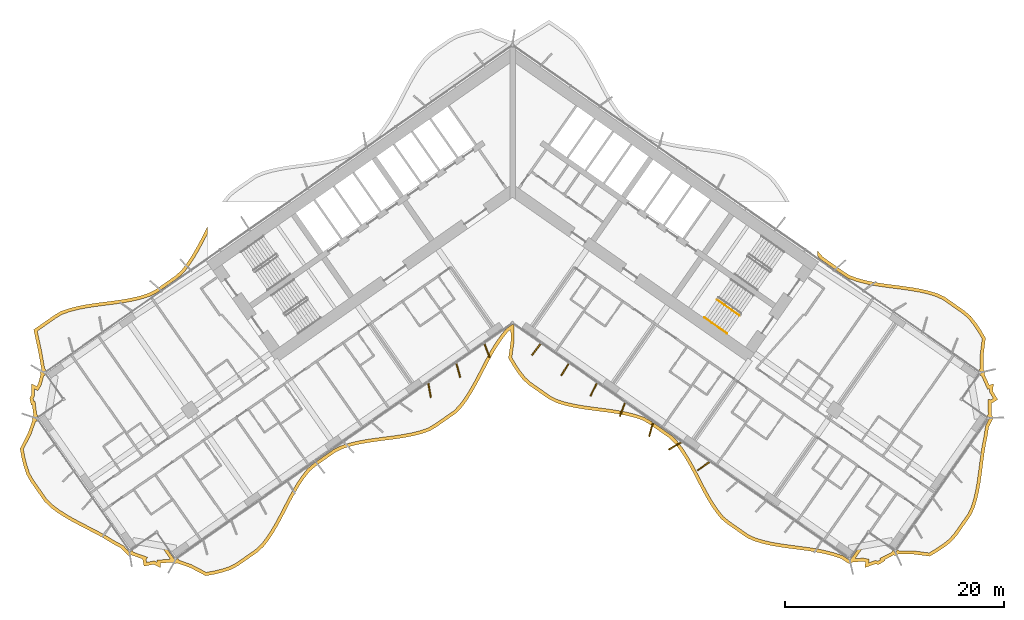
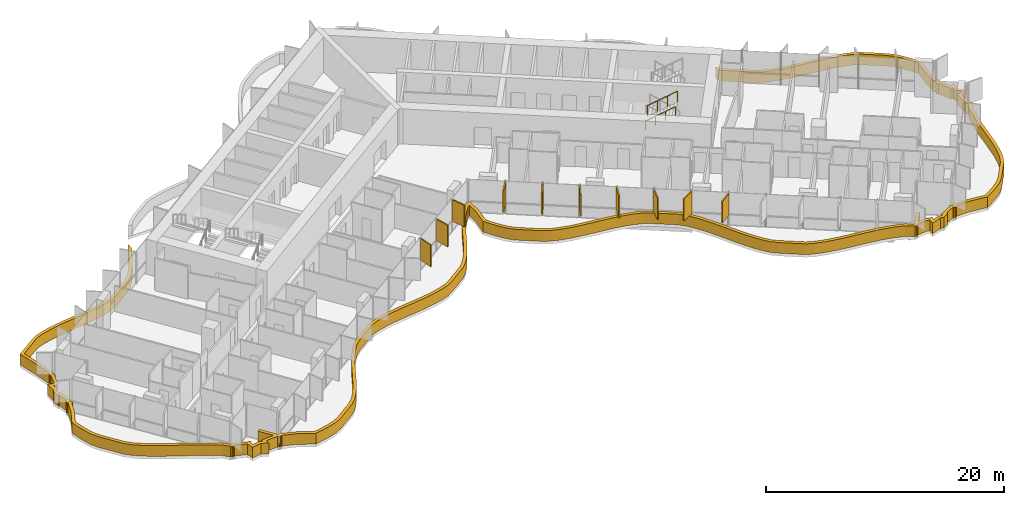
# One storey, part 22 of 25: 11 shading devices, 2 railings.
"""IFC4 building model written with IfcOpenShell, lengths in metres."""

from ifc_helpers import new_model, si_unit, direction, frame, origin, origin_2d, place, context, subcontext, project, spatial, polyline, rectangle, circle, outline, extrude, material, layer, layer_set, type_object, element, save


model = new_model("IFC4")

# Units and contexts
model_context = context("Model", 3, precision=1e-05, world=origin(), true_north=direction((0.0, 1.0)))
body_context = subcontext(model_context, "Body", "Model", "MODEL_VIEW")
ifc_project = project(units=[si_unit("LENGTHUNIT", "METRE"), si_unit("AREAUNIT", "SQUARE_METRE"), si_unit("VOLUMEUNIT", "CUBIC_METRE"), si_unit("PLANEANGLEUNIT", "RADIAN"), si_unit("MASSUNIT", "GRAM", prefix="KILO")], contexts=[model_context])

# Site, building, storey
site_placement = place(None, origin())
site = spatial("IfcSite", under=ifc_project, at=site_placement, CompositionType="ELEMENT")
building_placement = place(site_placement, origin())
building = spatial("IfcBuilding", under=site, at=building_placement, Name="Tel Ilan Convention Tower", CompositionType="ELEMENT")
storey_placement = place(building_placement, frame((0.0, 0.0, 61.699951171875)))
storey = spatial("IfcBuildingStorey", under=building, at=storey_placement, Name="L10", CompositionType="ELEMENT", Elevation=61.699951171875)

# Shading devices
ifc_material_1 = material(Name="Aluminium, bronze anodised", Category="aluminium")
ifc_layer_1 = layer(ifc_material_1, 0.1201171875)
ifc_layer_set_1 = layer_set([ifc_layer_1], Name="FIN BRONZE 1300x120")
shading_device_type_1 = type_object("IfcShadingDeviceType", Name="FIN BRONZE 1300x120", PredefinedType="USERDEFINED", material=ifc_layer_set_1)
for number, where, z_axis, x_axis, name in (
    (1, (-7.582763671875, -18.877197265625, 1.10009765625), (0.0, 0.0, 1.0), (0.173648177667, -0.984807753012, 0.0), "FIN"),
    (2, (-4.954345703125, -17.059326171875, 1.10009765625), (0.0, 0.0, 1.0), (0.268172612768, -0.963370878614, 0.0), "FIN"),
    (3, (-2.327880859375, -15.2353515625, 1.10009765625), (0.0, 0.0, 1.0), (0.360177724803, -0.932883704733, 0.0), "FIN"),
    (4, (2.17041015625, -15.13330078125, 1.10009765625), (0.0, 0.0, 1.0), (-0.612600545196, -0.790392669516, 0.0), "FIN"),
    (5, (4.7919921875, -16.968994140625, 1.10009765625), (0.0, 0.0, 1.0), (-0.533204432798, -0.845986425922, 0.0), "FIN"),
    (6, (7.413330078125, -18.80419921875, 1.10009765625), (0.0, 0.0, 1.0), (-0.448799180206, -0.893632640321, 0.0), "FIN"),
    (7, (10.03759765625, -20.6337890625, 1.10009765625), (0.0, 0.0, 1.0), (-0.360177724803, -0.932883704733, 0.0), "FIN"),
    (8, (12.664306640625, -22.457763671875, 1.10009765625), (0.0, 0.0, 1.0), (-0.268172612768, -0.963370878614, 0.0), "FIN"),
    (9, (14.842529296875, -23.96044921875, 1.10009765625), (0.0, 0.0, 1.0), (-0.866025403784, -0.5, 0.0), "FIN"),
    (10, (17.44970703125, -25.80859375, 1.10009765625), (0.0, 0.0, 1.0), (-0.813552070258, -0.581492071294, 0.0), "FIN"),
):
    element("IfcShadingDevice", number, at=place(storey_placement, frame(where, z_axis=z_axis, x_axis=x_axis)), inside=storey, type_object=shading_device_type_1, Name=name, ObjectType="FIN", PredefinedType="USERDEFINED", context=body_context, shape_type="SweptSolid", body=[
        extrude(rectangle(XDim=1.300048828125, YDim=0.1201171875, at=origin_2d()), origin(), (0.0, 0.0, 1.0), 2.219970703125),
    ])
ifc_material_2 = material(Name="Aluminium, bronze anodised", Category="aluminium")
ifc_layer_2 = layer(ifc_material_2, 0.300048828125)
ifc_layer_set_2 = layer_set([ifc_layer_2], Name="LOUVRE BAND 300x1100")
shading_device_type_2 = type_object("IfcShadingDeviceType", Name="LOUVRE BAND 300x1100", PredefinedType="USERDEFINED", material=ifc_layer_set_2)
shading_device_placement = place(storey_placement, origin())
element("IfcShadingDevice", 11, at=shading_device_placement, inside=storey, type_object=shading_device_type_2, Name="LOUVRE BAND 11.01", ObjectType="LOUVRE", PredefinedType="USERDEFINED", context=body_context, shape_type="SweptSolid", body=[
    extrude(outline(polyline([(-44.2939453125, -22.77490234375), (-45.028564453125, -24.204833984375), (-44.876953125, -25.01416015625), (-44.68408203125, -25.794677734375), (-44.4384765625, -26.538330078125), (-44.07080078125, -27.196533203125), (-42.7802734375, -29.03955078125), (-42.232421875, -29.571533203125), (-41.598876953125, -30.04345703125), (-40.91650390625, -30.481201171875), (-40.196533203125, -30.892822265625), (-39.45263671875, -31.287353515625), (-37.949462890625, -32.066162109375), (-37.219970703125, -32.470947265625), (-36.523681640625, -32.89892578125), (-35.783203125, -33.2958984375), (-35.26318359375, -33.847412109375), (-35.258544921875, -33.843994140625), (-35.2294921875, -33.887451171875), (-35.13232421875, -33.952392578125), (-35.017578125, -33.975341796875), (-34.902587890625, -33.952392578125), (-34.8486328125, -33.91650390625), (-33.810546875, -34.284912109375), (-33.821533203125, -34.302734375), (-33.688720703125, -34.9423828125), (-32.80029296875, -34.774658203125), (-32.20068359375, -35.082763671875), (-32.199462890625, -34.66796875), (-31.080322265625, -34.580810546875), (-31.051513671875, -34.624267578125), (-30.9541015625, -34.689208984375), (-30.83935546875, -34.7119140625), (-30.724365234375, -34.689208984375), (-30.67041015625, -34.653076171875), (-29.47802734375, -35.069091796875), (-28.049560546875, -35.822265625), (-27.250732421875, -35.676025390625), (-26.48095703125, -35.488525390625), (-25.74609375, -35.2509765625), (-25.0888671875, -34.90234375), (-23.27490234375, -33.63232421875), (-22.733642578125, -33.117919921875), (-22.262939453125, -32.50341796875), (-21.826416015625, -31.839599609375), (-21.4169921875, -31.13720703125), (-21.026123046875, -30.408935546875), (-20.2607421875, -28.927978515625), (-19.86669921875, -28.20361328125), (-19.45263671875, -27.5078125), (-19.010009765625, -26.85302734375), (-18.53173828125, -26.249267578125), (-17.96875, -25.76611328125), (-16.154541015625, -24.495849609375), (-15.474853515625, -24.1796875), (-14.732666015625, -23.952880859375), (-13.95654296875, -23.774169921875), (-13.154296875, -23.6328125), (-12.334716796875, -23.516357421875), (-10.681640625, -23.30322265625), (-9.86767578125, -23.178466796875), (-9.074951171875, -23.023681640625), (-8.3115234375, -22.8271484375), (-7.584228515625, -22.57861328125), (-6.9482421875, -22.2001953125), (-5.134033203125, -20.929931640625), (-4.616455078125, -20.38232421875), (-4.15283203125, -19.75732421875), (-3.722412109375, -19.0849609375), (-3.3173828125, -18.37646484375), (-2.9287109375, -17.644287109375), (-2.16259765625, -16.16455078125), (-1.765380859375, -15.44482421875), (-1.346435546875, -14.75634765625), (-0.897216796875, -14.110595703125), (-0.422119140625, -13.502197265625), (-0.16796875, -13.31494140625), (-0.15185546875, -14.322021484375), (-0.37109375, -15.922119140625), (0.03955078125, -16.62255859375), (0.47900390625, -17.281982421875), (0.95361328125, -17.89111328125), (1.505859375, -18.389404296875), (3.320068359375, -19.65966796875), (3.98828125, -19.9921875), (4.726806640625, -20.224609375), (5.499755859375, -20.407470703125), (6.2998046875, -20.552001953125), (7.1181640625, -20.67041015625), (8.771484375, -20.883056640625), (9.5869140625, -21.005615234375), (10.38232421875, -21.15673828125), (11.14892578125, -21.3486328125), (11.880126953125, -21.591796875), (12.5263671875, -21.95556640625), (14.340576171875, -23.225830078125), (14.8701171875, -23.75634765625), (15.337158203125, -24.376220703125), (15.770751953125, -25.044189453125), (16.177734375, -25.749755859375), (16.567626953125, -26.480224609375), (17.333251953125, -27.960693359375), (17.728759765625, -28.682861328125), (18.145263671875, -29.375), (18.59130859375, -30.025146484375), (19.073486328125, -30.62353515625), (19.646728515625, -31.091796875), (21.460693359375, -32.362060546875), (22.15234375, -32.6611328125), (22.898193359375, -32.883056640625), (23.67724609375, -33.057373046875), (24.481689453125, -33.19580078125), (25.302490234375, -33.310546875), (26.955078125, -33.5244140625), (27.767333984375, -33.6513671875), (28.5576171875, -33.809814453125), (29.31787109375, -34.010986328125), (30.052001953125, -34.24951171875), (30.667236328125, -34.65771484375), (30.67041015625, -34.653076171875), (30.724365234375, -34.689208984375), (30.83935546875, -34.7119140625), (30.9541015625, -34.689208984375), (31.051513671875, -34.624267578125), (31.080322265625, -34.580810546875), (32.01025390625, -34.49951171875), (32.267822265625, -34.55126953125), (32.20068359375, -35.082763671875), (33.17138671875, -34.73291015625), (33.477294921875, -34.794189453125), (34.032958984375, -34.450927734375), (33.979248046875, -34.3603515625), (34.8486328125, -33.91650390625), (34.902587890625, -33.952392578125), (35.017578125, -33.975341796875), (35.13232421875, -33.952392578125), (35.2294921875, -33.887451171875), (35.258544921875, -33.843994140625), (36.55078125, -33.833251953125), (38.145751953125, -34.034423828125), (38.8544921875, -33.615234375), (39.521728515625, -33.1669921875), (40.13671875, -32.681884765625), (40.62939453125, -32.111328125), (41.919921875, -30.268310546875), (42.232421875, -29.571533203125), (42.45947265625, -28.814697265625), (42.63720703125, -28.023681640625), (42.77783203125, -27.20654296875), (42.89404296875, -26.372314453125), (43.11181640625, -24.693603515625), (43.24267578125, -23.86962890625), (43.40673828125, -23.069091796875), (43.5263671875, -22.2373046875), (43.866943359375, -21.56005859375), (43.8623046875, -21.556884765625), (43.898193359375, -21.5029296875), (43.921142578125, -21.387939453125), (43.898193359375, -21.273193359375), (43.833251953125, -21.17578125), (43.7900390625, -21.14697265625), (43.78125, -20.04541015625), (43.8017578125, -20.049560546875), (44.357177734375, -19.7060546875), (43.89599609375, -18.9287109375), (43.98046875, -18.259765625), (43.590087890625, -18.400634765625), (43.12548828125, -17.378662109375), (43.16162109375, -17.32470703125), (43.184326171875, -17.2099609375), (43.16162109375, -17.094970703125), (43.096435546875, -16.997802734375), (43.05322265625, -16.96875), (43.041259765625, -15.681884765625), (43.245849609375, -14.085693359375), (42.828125, -13.378662109375), (42.38134765625, -12.712646484375), (41.898193359375, -12.098876953125), (41.330810546875, -11.605224609375), (39.492919921875, -10.318359375), (38.80126953125, -10.001953125), (38.0478515625, -9.774169921875), (37.260009765625, -9.595458984375), (36.44580078125, -9.4541015625), (35.614501953125, -9.337646484375), (33.940185546875, -9.120849609375), (33.117919921875, -8.99169921875), (32.318115234375, -8.830078125), (31.54931640625, -8.623779296875), (30.819091796875, -8.36279296875), (30.191162109375, -7.955810546875), (28.35693359375, -6.66357421875), (27.874755859375, -6.095458984375), (27.874755859375, -6.55908203125), (28.15234375, -6.88623046875), (30.0234375, -8.20458984375), (30.68505859375, -8.633544921875), (31.4599609375, -8.910400390625), (32.249267578125, -9.1220703125), (33.064697265625, -9.286865234375), (33.897216796875, -9.417724609375), (35.574951171875, -9.635009765625), (36.3994140625, -9.750732421875), (37.201171875, -9.8896484375), (37.97119140625, -10.064453125), (38.695068359375, -10.283447265625), (39.34326171875, -10.57958984375), (41.145751953125, -11.841796875), (41.679931640625, -12.306640625), (42.138427734375, -12.889404296875), (42.57421875, -13.53857421875), (42.935302734375, -14.149658203125), (42.740966796875, -15.66455078125), (42.75537109375, -16.87109375), (42.638671875, -17.037841796875), (42.88427734375, -17.2099609375), (42.712890625, -17.4560546875), (42.890625, -17.580322265625), (43.430908203125, -18.77685546875), (43.621337890625, -18.7080078125), (43.58544921875, -18.9931640625), (43.948974609375, -19.605712890625), (43.74462890625, -19.732177734375), (43.477294921875, -19.678466796875), (43.4921875, -21.049072265625), (43.37548828125, -21.216064453125), (43.62109375, -21.387939453125), (43.44970703125, -21.63427734375), (43.482421875, -21.656982421875), (43.236328125, -22.146240234375), (43.111083984375, -23.017578125), (42.947265625, -23.816162109375), (42.81494140625, -24.650390625), (42.5966796875, -26.332763671875), (42.481201171875, -27.160400390625), (42.343017578125, -27.96533203125), (42.1689453125, -28.73876953125), (41.95068359375, -29.466552734375), (41.657958984375, -30.11962890625), (40.392333984375, -31.9267578125), (39.928466796875, -32.464111328125), (39.344970703125, -32.92431640625), (38.6943359375, -33.361328125), (38.081298828125, -33.72412109375), (36.56787109375, -33.533203125), (35.3564453125, -33.54638671875), (35.189453125, -33.429443359375), (35.017578125, -33.67529296875), (34.771240234375, -33.50390625), (34.642822265625, -33.6875), (33.5576171875, -34.23779296875), (33.62451171875, -34.3505859375), (33.42041015625, -34.476806640625), (33.1484375, -34.422119140625), (32.559814453125, -34.634521484375), (32.600341796875, -34.31201171875), (32.026611328125, -34.19677734375), (31.310302734375, -34.26220703125), (32.117919921875, -33.109130859375), (31.8720703125, -32.93701171875), (30.83935546875, -34.412109375), (30.593505859375, -34.239990234375), (30.58935546875, -34.24609375), (30.183837890625, -33.976806640625), (29.402587890625, -33.722900390625), (28.62548828125, -33.517333984375), (27.81982421875, -33.35595703125), (26.997802734375, -33.227294921875), (25.342041015625, -33.01318359375), (24.52783203125, -32.8994140625), (23.735595703125, -32.76318359375), (22.973876953125, -32.592529296875), (22.255126953125, -32.378662109375), (21.60791015625, -32.0986328125), (19.827880859375, -30.852294921875), (19.287353515625, -30.410888671875), (18.83203125, -29.845947265625), (18.397705078125, -29.212646484375), (17.989013671875, -28.533203125), (17.597900390625, -27.8193359375), (16.833251953125, -26.3408203125), (16.440185546875, -25.604248046875), (16.026611328125, -24.8876953125), (15.583251953125, -24.2041015625), (15.09716796875, -23.55908203125), (14.5341796875, -22.9951171875), (12.6865234375, -21.701171875), (12.001953125, -21.316162109375), (11.23291015625, -21.060546875), (10.44677734375, -20.863525390625), (9.63720703125, -20.709716796875), (8.81298828125, -20.5859375), (7.15869140625, -20.373046875), (6.347900390625, -20.255859375), (5.56103515625, -20.11376953125), (4.806396484375, -19.93505859375), (4.100830078125, -19.713134765625), (3.4736328125, -19.401123046875), (1.693115234375, -18.154296875), (1.17431640625, -17.68603515625), (0.72265625, -17.106201171875), (0.294189453125, -16.46337890625), (-0.059814453125, -15.85986328125), (0.1484375, -14.340087890625), (0.12548828125, -12.906005859375), (0.0, -12.818115234375), (-0.63330078125, -13.285400390625), (-1.138916015625, -13.9326171875), (-1.597900390625, -14.592529296875), (-2.025146484375, -15.294189453125), (-2.427001953125, -16.022705078125), (-3.19482421875, -17.50537109375), (-3.580078125, -18.231689453125), (-3.979248046875, -18.929443359375), (-4.39990234375, -19.5869140625), (-4.8466796875, -20.189208984375), (-5.3310546875, -20.70166015625), (-7.111083984375, -21.947998046875), (-7.7109375, -22.304931640625), (-8.3974609375, -22.53955078125), (-9.14111328125, -22.73095703125), (-9.919189453125, -22.8828125), (-10.723876953125, -23.006103515625), (-12.374755859375, -23.218994140625), (-13.201416015625, -23.33642578125), (-14.016357421875, -23.47998046875), (-14.810302734375, -23.662841796875), (-15.58251953125, -23.89892578125), (-16.30517578125, -24.235107421875), (-18.15283203125, -25.52880859375), (-18.748779296875, -26.040283203125), (-19.252197265625, -26.675537109375), (-19.7060546875, -27.346923828125), (-20.12744140625, -28.05517578125), (-20.525634765625, -28.787109375), (-21.29150390625, -30.26904296875), (-21.678955078125, -30.99072265625), (-22.08154296875, -31.681640625), (-22.507568359375, -32.32958984375), (-22.95751953125, -32.916748046875), (-23.46533203125, -33.3994140625), (-25.245849609375, -34.64599609375), (-25.86328125, -34.9736328125), (-26.5625, -35.19970703125), (-27.313232421875, -35.38232421875), (-28.00146484375, -35.508544921875), (-29.3583984375, -34.79296875), (-30.477294921875, -34.406005859375), (-30.593505859375, -34.239990234375), (-30.83935546875, -34.412109375), (-31.8720703125, -32.93701171875), (-32.117919921875, -33.109130859375), (-31.28515625, -34.29833984375), (-32.498779296875, -34.3896484375), (-32.499267578125, -34.59228515625), (-32.7548828125, -34.4609375), (-33.454833984375, -34.593017578125), (-33.503662109375, -34.35791015625), (-33.361572265625, -34.124755859375), (-34.655029296875, -33.669921875), (-34.771240234375, -33.50390625), (-35.017578125, -33.67529296875), (-35.189453125, -33.429443359375), (-35.222900390625, -33.452880859375), (-35.598388671875, -33.054443359375), (-36.374267578125, -32.638671875), (-37.068603515625, -32.211669921875), (-37.807373046875, -31.802001953125), (-39.313720703125, -31.021240234375), (-40.052001953125, -30.6298828125), (-40.760986328125, -30.224609375), (-41.42822265625, -29.796630859375), (-42.03759765625, -29.342529296875), (-42.551025390625, -28.84423828125), (-43.81640625, -27.036865234375), (-44.16259765625, -26.4169921875), (-44.3955078125, -25.71142578125), (-44.583740234375, -24.950439453125), (-44.71484375, -24.25048828125), (-44.017822265625, -22.8935546875), (-43.61572265625, -21.75048828125), (-43.44970703125, -21.63427734375), (-43.62109375, -21.387939453125), (-43.37548828125, -21.216064453125), (-43.50439453125, -21.03173828125), (-43.650390625, -19.823974609375), (-43.779296875, -19.84814453125), (-43.828125, -19.613037109375), (-43.683837890625, -19.376220703125), (-43.681884765625, -18.75048828125), (-43.392822265625, -18.89892578125), (-43.088134765625, -18.399169921875), (-42.8681640625, -17.564697265625), (-42.712890625, -17.4560546875), (-42.88427734375, -17.2099609375), (-42.638671875, -17.037841796875), (-42.772705078125, -16.846435546875), (-43.07080078125, -15.1611328125), (-43.445556640625, -13.4521484375), (-41.779296875, -12.285400390625), (-41.1748046875, -11.917724609375), (-40.481201171875, -11.678466796875), (-39.728515625, -11.483642578125), (-38.940185546875, -11.32958984375), (-38.125, -11.204833984375), (-36.4521484375, -10.9892578125), (-35.61474609375, -10.869140625), (-34.790283203125, -10.7216796875), (-33.988037109375, -10.532958984375), (-33.2060546875, -10.2880859375), (-32.48779296875, -9.93017578125), (-30.61474609375, -8.61865234375), (-30.02783203125, -8.073974609375), (-29.527587890625, -7.424560546875), (-29.074462890625, -6.73681640625), (-28.652587890625, -6.013916015625), (-28.2529296875, -5.268798828125), (-27.874755859375, -4.535400390625), (-27.874755859375, -3.883544921875), (-28.518310546875, -5.129150390625), (-28.91455078125, -5.8671875), (-29.329345703125, -6.57861328125), (-29.772216796875, -7.250244140625), (-30.250244140625, -7.87109375), (-30.8037109375, -8.384765625), (-32.6416015625, -9.671630859375), (-33.318603515625, -10.0087890625), (-34.067138671875, -10.243408203125), (-34.85107421875, -10.427734375), (-35.66259765625, -10.572998046875), (-36.4921875, -10.69189453125), (-38.167236328125, -10.90771484375), (-38.99169921875, -11.033935546875), (-39.794921875, -11.19091796875), (-40.56787109375, -11.390869140625), (-41.30322265625, -11.64453125), (-41.943359375, -12.0341796875), (-43.78125, -13.321044921875), (-43.364990234375, -15.219482421875), (-43.05322265625, -16.96875), (-43.096435546875, -16.997802734375), (-43.16162109375, -17.094970703125), (-43.184326171875, -17.2099609375), (-43.16162109375, -17.32470703125), (-43.12548828125, -17.378662109375), (-43.3671875, -18.2802734375), (-43.50390625, -18.504638671875), (-43.98046875, -18.259765625), (-43.9833984375, -19.291748046875), (-44.14599609375, -19.55810546875), (-44.01318359375, -20.197509765625), (-43.90966796875, -20.177978515625), (-43.7900390625, -21.14697265625), (-43.833251953125, -21.17578125), (-43.898193359375, -21.273193359375), (-43.921142578125, -21.387939453125), (-43.898193359375, -21.5029296875), (-43.8623046875, -21.556884765625), (-44.2939453125, -22.77490234375)])), origin(), (0.0, 0.0, 1.0), 1.10009765625),
])

# Railings
ifc_material_3 = material(Name="Stainless Steel Grade 316", Category="steel")
railing_type_1 = type_object("IfcRailingType", Name="Stainless Steel Stair Guard 1100 mm", PredefinedType="GUARDRAIL", material=ifc_material_3)
railing_1_placement = place(storey_placement, frame((18.689208984375, -10.583740234375, 1.97998046875)))
element("IfcRailing", 12, at=railing_1_placement, inside=storey, type_object=railing_type_1, Name="L10 S4 stair guard 3", PredefinedType="GUARDRAIL", context=body_context, shape_type="SweptSolid", body=[
    extrude(circle(Radius=0.02392578125, at=origin_2d()), frame((0.0, 0.0, 1.076171875), z_axis=(0.689055814419, -0.482485747064, 0.540749099395), x_axis=(0.573579365141, 0.81914999352, 0.0)), (0.0, 0.0, 1.0), 2.99609375),
    extrude(circle(Radius=0.02099609375, at=origin_2d()), origin(), (0.0, 0.0, 1.0), 1.052001953125),
    extrude(circle(Radius=0.02099609375, at=origin_2d()), frame((0.688232421875, -0.48193359375, 0.5400390625)), (0.0, 0.0, 1.0), 1.052001953125),
    extrude(circle(Radius=0.02099609375, at=origin_2d()), frame((1.376220703125, -0.963623046875, 1.080078125)), (0.0, 0.0, 1.0), 1.052001953125),
    extrude(circle(Radius=0.02099609375, at=origin_2d()), frame((2.064453125, -1.445556640625, 1.6201171875)), (0.0, 0.0, 1.0), 1.052001953125),
])
ifc_material_4 = material(Name="Stainless Steel Grade 316", Category="steel")
railing_type_2 = type_object("IfcRailingType", Name="Stainless Steel Stair Handrail 900 mm", PredefinedType="HANDRAIL", material=ifc_material_4)
railing_2_placement = place(storey_placement, frame((17.542236328125, -12.22216796875, 1.97998046875)))
element("IfcRailing", 13, at=railing_2_placement, inside=storey, type_object=railing_type_2, Name="L10 S4 stair handrail 2", PredefinedType="HANDRAIL", context=body_context, shape_type="SweptSolid", body=[
    extrude(circle(Radius=0.02392578125, at=origin_2d()), frame((0.0, 0.0, 0.8759765625), z_axis=(0.689040105437, -0.482450316285, 0.54080072616), x_axis=(0.573559875649, 0.819163639968, 0.0)), (0.0, 0.0, 1.0), 2.995849609375),
    extrude(circle(Radius=0.02099609375, at=origin_2d()), origin(), (0.0, 0.0, 1.0), 0.851806640625),
    extrude(circle(Radius=0.02099609375, at=origin_2d()), frame((0.68798828125, -0.481689453125, 0.5400390625)), (0.0, 0.0, 1.0), 0.851806640625),
    extrude(circle(Radius=0.02099609375, at=origin_2d()), frame((1.376220703125, -0.963623046875, 1.080078125)), (0.0, 0.0, 1.0), 0.851806640625),
    extrude(circle(Radius=0.02099609375, at=origin_2d()), frame((2.064208984375, -1.4453125, 1.6201171875)), (0.0, 0.0, 1.0), 0.851806640625),
])

save(model, "model.ifc")
